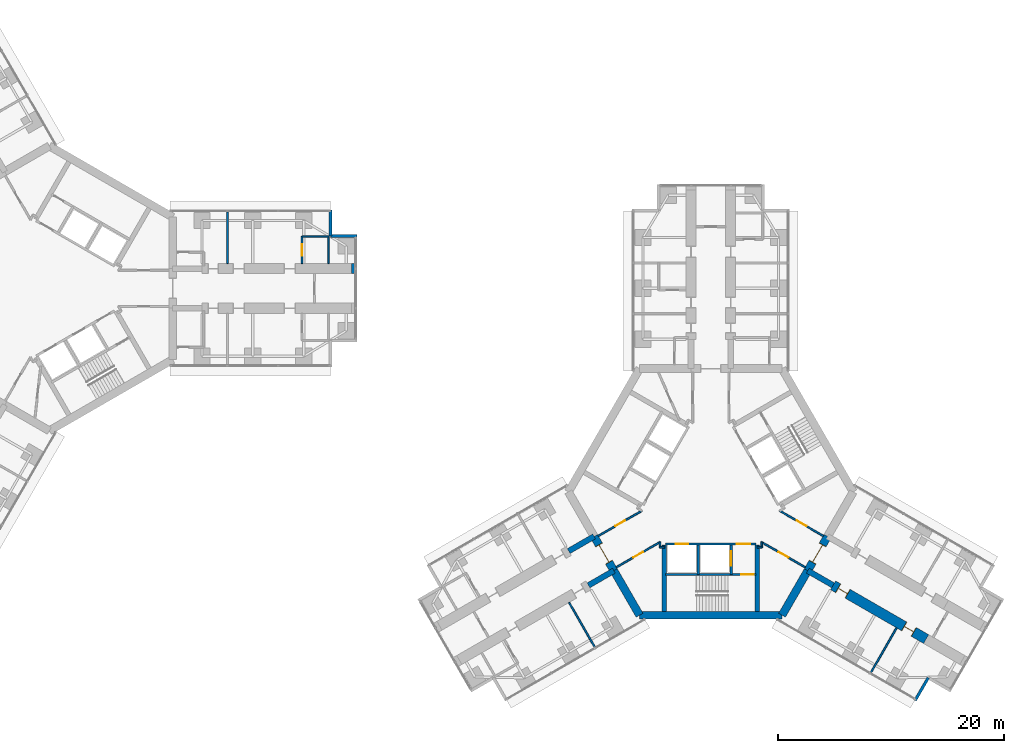
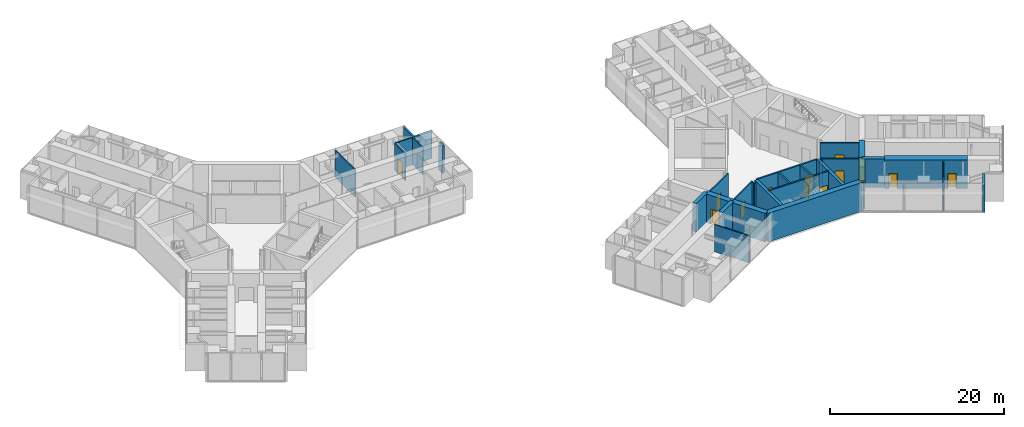
# One storey, part 20 of 24: 33 walls, 13 doors, 13 openings.
"""IFC4 building model written with IfcOpenShell, lengths in metres."""

import ifcopenshell
import ifcopenshell.guid

model = None  # the IFC model being written
_history = None  # IfcOwnerHistory: only IFC2X3 demands one
_inside = {}  # id of a spatial element -> (the spatial element, [elements in it])
_under = {}  # id of a project, library or spatial element -> (it, [spatial elements below it])
_declared = {}  # id of a project -> (the project, [libraries it declares])
_typed = {}  # id of a type object -> (the type object, [elements of that type])
_made_of = {}  # id of a material, layer set ... -> (it, [elements and type objects made of it])


def new_model(schema):
    """Start an empty IFC model of exactly this schema.

    Asked for "IFC4X3", IfcOpenShell would pick the latest addendum, in which some entities
    have other attributes; the version numbers below select the first issue.
    IFC2X3 requires an IfcOwnerHistory on every rooted entity: one is made here for all.
    """
    global model, _history
    if schema == "IFC4X3":
        model = ifcopenshell.file(schema_version=(4, 3, 0, 0))
    else:
        model = ifcopenshell.file(schema=schema)
    _inside.clear()
    _under.clear()
    _declared.clear()
    _typed.clear()
    _made_of.clear()
    _history = None
    if model.schema == "IFC2X3":
        org = make("IfcOrganization", Name="unknown")
        user = make(
            "IfcPersonAndOrganization",
            ThePerson=make("IfcPerson", FamilyName="unknown"),
            TheOrganization=org,
        )
        app = make(
            "IfcApplication",
            ApplicationDeveloper=org,
            Version="unknown",
            ApplicationFullName="unknown",
            ApplicationIdentifier="unknown",
        )
        _history = make(
            "IfcOwnerHistory",
            OwningUser=user,
            OwningApplication=app,
            ChangeAction="ADDED",
            CreationDate=0,
        )
    return model


def make(cls, **values):
    """One entity of the class cls with the attributes given. An attribute that is None is left unset."""
    return model.create_entity(
        cls, **{name: value for name, value in values.items() if value is not None}
    )


def rooted(cls, **values):
    """An entity with a GlobalId (a new one), such as an element, a storey or a relation."""
    return make(cls, GlobalId=ifcopenshell.guid.new(), OwnerHistory=_history, **values)


def si_unit(unit_type, name, prefix=None):
    """IfcSIUnit, for example si_unit("LENGTHUNIT", "METRE", prefix="MILLI")."""
    return make("IfcSIUnit", UnitType=unit_type, Prefix=prefix, Name=name)


def assignment(units):
    """IfcUnitAssignment: the units of a project."""
    return None if units is None else make("IfcUnitAssignment", Units=units)


def point(xyz):
    """IfcCartesianPoint."""
    return None if xyz is None else make("IfcCartesianPoint", Coordinates=xyz)


def direction(xyz):
    """IfcDirection."""
    return None if xyz is None else make("IfcDirection", DirectionRatios=xyz)


def frame(location, z_axis=None, x_axis=None):
    """IfcAxis2Placement3D, a coordinate frame: its origin and axes. An axis left out is left unset."""
    return make(
        "IfcAxis2Placement3D",
        Location=point(location),
        Axis=direction(z_axis),
        RefDirection=direction(x_axis),
    )


def frame_2d(location, x_axis=None):
    """IfcAxis2Placement2D, a coordinate frame in the plane: its origin and x axis."""
    return make(
        "IfcAxis2Placement2D", Location=point(location), RefDirection=direction(x_axis)
    )


def origin():
    """The frame at (0, 0, 0) with its axes left unset."""
    return frame((0.0, 0.0, 0.0))


def place(relative_to, where):
    """IfcLocalPlacement: puts the frame where relative to a parent placement (None: the world)."""
    return make(
        "IfcLocalPlacement", PlacementRelTo=relative_to, RelativePlacement=where
    )


def context(
    kind, dimensions, precision=None, world=None, true_north=None, identifier=None
):
    """IfcGeometricRepresentationContext, for example the 3D "Model" context."""
    return make(
        "IfcGeometricRepresentationContext",
        ContextIdentifier=identifier,
        ContextType=kind,
        CoordinateSpaceDimension=dimensions,
        Precision=precision,
        WorldCoordinateSystem=world,
        TrueNorth=true_north,
    )


def subcontext(parent, identifier, kind, view, scale=None):
    """IfcGeometricRepresentationSubContext, for example "Body" below "Model"."""
    return make(
        "IfcGeometricRepresentationSubContext",
        ContextIdentifier=identifier,
        ContextType=kind,
        ParentContext=parent,
        TargetScale=scale,
        TargetView=view,
    )


def project(units=None, contexts=None):
    """IfcProject with its units and contexts."""
    return rooted(
        "IfcProject",
        Name="project",
        RepresentationContexts=contexts,
        UnitsInContext=assignment(units),
    )


def spatial(cls, under=None, at=None, **own):
    """A site, building, storey or space (cls), placed at a placement, below another one or the project."""
    s = rooted(cls, ObjectPlacement=at, **own)
    if under is not None:
        _under.setdefault(under.id(), (under, []))[1].append(s)
    return s


def profile(cls, at=None, kind="AREA", **sizes):
    """A parametric profile (cls). Its sizes go by their IFC names, for example OverallWidth=200.0."""
    return make(cls, ProfileType=kind, Position=at, **sizes)


def rectangle(**sizes):
    """IfcRectangleProfileDef."""
    return profile("IfcRectangleProfileDef", **sizes)


def extrude(swept, where, along, depth):
    """IfcExtrudedAreaSolid: the profile swept, set in the frame where, extruded along a direction by depth."""
    return make(
        "IfcExtrudedAreaSolid",
        SweptArea=swept,
        Position=where,
        ExtrudedDirection=direction(along),
        Depth=depth,
    )


def shape(context_of_items, identifier, shape_type, items):
    """IfcShapeRepresentation: the items that make up one representation, for example the "Body"."""
    return make(
        "IfcShapeRepresentation",
        ContextOfItems=context_of_items,
        RepresentationIdentifier=identifier,
        RepresentationType=shape_type,
        Items=items,
    )


def material(Name=None, Category=None):
    """IfcMaterial."""
    return make("IfcMaterial", Name=Name, Category=Category)


def layer(
    of_material, thickness, ventilated=None, Name=None, Category=None, Priority=None
):
    """IfcMaterialLayer: one layer of a wall or slab, of a material (None: an air gap)."""
    return make(
        "IfcMaterialLayer",
        Material=of_material,
        LayerThickness=thickness,
        IsVentilated=ventilated,
        Name=Name,
        Category=Category,
        Priority=Priority,
    )


def layer_set(layers, Name=None):
    """IfcMaterialLayerSet."""
    return make("IfcMaterialLayerSet", MaterialLayers=layers, LayerSetName=Name)


def made_of(thing, what):
    """Note that an element or type object is made of a material, layer set ...; save() writes the relation."""
    if what is not None:
        _made_of.setdefault(what.id(), (what, []))[1].append(thing)
    return thing


def type_object(cls, material=None, **own):
    """A type object (cls), such as IfcWallType, which elements share."""
    return made_of(rooted(cls, **own), material)


def element(
    cls,
    number,
    at=None,
    inside=None,
    cuts=None,
    type_object=None,
    material=None,
    context=None,
    identifier="Body",
    shape_type=None,
    held_by="IfcProductDefinitionShape",
    body=None,
    shapes=None,
    **own,
):
    """One element of the class cls, such as IfcWall. Its Tag is "e" and its number.

    at: its placement. inside: the storey or other place that contains it. cuts: it is an
    opening in that element (IfcRelVoidsElement). A single representation is given by context,
    identifier, shape_type and body (its items); several are given by shapes. held_by: the class
    of the entity that holds the representations. save() writes the other relations.
    """
    e = rooted(cls, Tag="e%d" % number, ObjectPlacement=at, **own)
    if body is not None:
        shapes = [shape(context, identifier, shape_type, body)]
    if shapes is not None:
        e.Representation = make(held_by, Representations=shapes)
    if inside is not None:
        _inside.setdefault(inside.id(), (inside, []))[1].append(e)
    if cuts is not None:
        rooted(
            "IfcRelVoidsElement", RelatingBuildingElement=cuts, RelatedOpeningElement=e
        )
    if type_object is not None:
        _typed.setdefault(type_object.id(), (type_object, []))[1].append(e)
    return made_of(e, material)


def fill(opening, filler):
    """IfcRelFillsElement: the door or window that sits in an opening."""
    return rooted(
        "IfcRelFillsElement",
        RelatingOpeningElement=opening,
        RelatedBuildingElement=filler,
    )


def aggregate(whole, parts):
    """IfcRelAggregates: a whole, such as a stair, and the parts it consists of."""
    return rooted("IfcRelAggregates", RelatingObject=whole, RelatedObjects=parts)


def save(model, path):
    """Write the relations noted so far, then the file.

    IfcRelAggregates (storeys below a building ...), IfcRelContainedInSpatialStructure (elements
    in a storey), IfcRelDefinesByType, IfcRelAssociatesMaterial and IfcRelDeclares: one each for
    every whole, place, type object, material and project.
    """
    for whole, parts in _under.values():
        aggregate(whole, parts)
    for where, things in _inside.values():
        rooted(
            "IfcRelContainedInSpatialStructure",
            RelatedElements=things,
            RelatingStructure=where,
        )
    for kind, things in _typed.values():
        rooted("IfcRelDefinesByType", RelatedObjects=things, RelatingType=kind)
    for what, things in _made_of.values():
        rooted("IfcRelAssociatesMaterial", RelatedObjects=things, RelatingMaterial=what)
    for by, libraries in _declared.values():
        rooted("IfcRelDeclares", RelatingContext=by, RelatedDefinitions=libraries)
    model.write(path)


model = new_model("IFC4")

# Units and contexts
model_context = context("Model", 3, precision=1e-05, world=origin(), true_north=direction((0.0, 1.0)))
body_context = subcontext(model_context, "Body", "Model", "MODEL_VIEW")
ifc_project = project(units=[si_unit("LENGTHUNIT", "METRE"), si_unit("AREAUNIT", "SQUARE_METRE"), si_unit("VOLUMEUNIT", "CUBIC_METRE"), si_unit("PLANEANGLEUNIT", "RADIAN"), si_unit("MASSUNIT", "GRAM", prefix="KILO")], contexts=[model_context])

# Site, building, storey
site_placement = place(None, origin())
site = spatial("IfcSite", under=ifc_project, at=site_placement, CompositionType="ELEMENT")
building_placement = place(site_placement, origin())
building = spatial("IfcBuilding", under=site, at=building_placement, Name="Upepo Twin Towers", CompositionType="ELEMENT")
storey_placement = place(building_placement, frame((0.0, 0.0, 48.5)))
storey = spatial("IfcBuildingStorey", under=building, at=storey_placement, Name="L11", CompositionType="ELEMENT", Elevation=48.5)

# Walls
ifc_material_1 = material(Name="Dense concrete blockwork", Category="masonry")
ifc_layer_1 = layer(ifc_material_1, 0.89990234375)
ifc_layer_set_1 = layer_set([ifc_layer_1], Name="Buttress closer 900, blockwork with fire-stopping to the curtain wall")
wall_type_1 = type_object("IfcWallType", Name="Buttress closer 900, blockwork with fire-stopping to the curtain wall", PredefinedType="PARTITIONING", material=ifc_layer_set_1)
wall_1_placement = place(storey_placement, frame((26.699951171875, 1.75, 0.0), z_axis=(0.0, 0.0, 1.0), x_axis=(1.0, 0.0, 0.0)))
element("IfcWall", 1, at=wall_1_placement, inside=storey, type_object=wall_type_1, Name="T1 L11 wing A buttress closer L", PredefinedType="PARTITIONING", context=body_context, shape_type="SweptSolid", body=[
    extrude(rectangle(XDim=0.31005859375, YDim=0.89990234375, at=frame_2d((0.155029296875, 0.0))), origin(), (0.0, 0.0, 1.0), 3.800048828125),
])
ifc_material_2 = material(Name="Concrete C60/75", Category="concrete")
ifc_layer_2 = layer(ifc_material_2, 0.5)
ifc_layer_set_2 = layer_set([ifc_layer_2], Name="Concrete C60/75")
wall_type_2 = type_object("IfcWallType", Name="Buttress wall 500 RC", PredefinedType="SHEAR", material=ifc_layer_set_2)
for number, where, z_axis, x_axis, name in (
    (2, (49.92822265625, -24.9697265625, 0.0), (0.0, 0.0, 1.0), (-0.866031863473, -0.499988811324, 0.0), "T2 wing B buttress wall L"),
    (3, (48.17822265625, -21.938720703125, 0.0), (0.0, 0.0, 1.0), (-0.866072649678, -0.499918158782, 0.0), "T2 wing B buttress wall R"),
    (4, (67.07177734375, -24.9697265625, 0.0), (0.0, 0.0, 1.0), (0.866031863473, -0.499988811324, 0.0), "T2 wing C buttress wall R"),
):
    element("IfcWall", number, at=place(storey_placement, frame(where, z_axis=z_axis, x_axis=x_axis)), inside=storey, type_object=wall_type_2, Name=name, PredefinedType="SHEAR", context=body_context, shape_type="SweptSolid", body=[
        extrude(rectangle(XDim=2.591796875, YDim=0.5, at=frame_2d((1.2958984375, 0.0))), origin(), (0.0, 0.0, 1.0), 4.0),
    ])

# Wall, openings, doors
ifc_material_3 = material(Name="Concrete C60/75", Category="concrete")
ifc_layer_3 = layer(ifc_material_3, 0.89990234375)
ifc_layer_set_3 = layer_set([ifc_layer_3], Name="Concrete C60/75")
wall_type_3 = type_object("IfcWallType", Name="Buttress wall 900 RC", PredefinedType="SHEAR", material=ifc_layer_set_3)
wall_2_placement = place(storey_placement, frame((69.31640625, -26.265625, 0.0), z_axis=(0.0, 0.0, 1.0), x_axis=(0.86602681393, -0.499997557548, 0.0)))
wall_2 = element("IfcWall", 5, at=wall_2_placement, inside=storey, type_object=wall_type_3, Name="T2 wing C buttress wall R part 2", PredefinedType="SHEAR", context=body_context, shape_type="SweptSolid", body=[
    extrude(rectangle(XDim=9.5, YDim=0.89990234375, at=frame_2d((4.75, 0.0))), origin(), (0.0, 0.0, 1.0), 4.0),
])
opening_1_placement = place(wall_2_placement, frame((0.5, 0.0, 0.0)))
opening_1 = element("IfcOpeningElement", 6, at=opening_1_placement, cuts=wall_2, Name="Opening D1", PredefinedType="OPENING", context=body_context, shape_type="SweptSolid", body=[
    extrude(rectangle(XDim=1.0, YDim=2.10009765625, at=frame_2d((0.5, 1.050048828125))), frame((0.0, 0.4599609375, 0.0), z_axis=(0.0, -1.0, 0.0), x_axis=(1.0, 0.0, 0.0)), (0.0, 0.0, 1.0), 0.919921875),
])
opening_2_placement = place(wall_2_placement, frame((7.25, 0.0, 0.0)))
opening_2 = element("IfcOpeningElement", 7, at=opening_2_placement, cuts=wall_2, Name="Opening D1", PredefinedType="OPENING", context=body_context, shape_type="SweptSolid", body=[
    extrude(rectangle(XDim=1.0, YDim=2.10009765625, at=frame_2d((0.5, 1.050048828125))), frame((0.0, 0.4599609375, 0.0), z_axis=(0.0, -1.0, 0.0), x_axis=(1.0, 0.0, 0.0)), (0.0, 0.0, 1.0), 0.919921875),
])
ifc_material_4 = material(Name="Timber doorset", Category="wood")
door_type_1 = type_object("IfcDoorType", Name="Room door 1000 FD30", OperationType="SINGLE_SWING_LEFT", PredefinedType="DOOR", material=ifc_material_4)
door_1_placement = place(opening_1_placement, origin())
door_1 = element("IfcDoor", 8, at=door_1_placement, inside=storey, type_object=door_type_1, Name="T2 L11 classroom door", OperationType="SINGLE_SWING_LEFT", OverallHeight=2.10009765625, OverallWidth=1.0, PredefinedType="DOOR", context=body_context, shape_type="SweptSolid", body=[
    extrude(rectangle(XDim=0.92, YDim=2.06009765625, at=frame_2d((0.5, 1.030029296875))), frame((0.0, 0.02490234375, 0.0), z_axis=(0.0, -1.0, 0.0), x_axis=(1.0, 0.0, 0.0)), (0.0, 0.0, 1.0), 0.050048828125),
    extrude(rectangle(XDim=0.04, YDim=2.10009765625, at=frame_2d((0.02001953125, 1.050048828125))), frame((0.0, 0.44970703125, 0.0), z_axis=(0.0, -1.0, 0.0), x_axis=(1.0, 0.0, 0.0)), (0.0, 0.0, 1.0), 0.8994140625),
    extrude(rectangle(XDim=0.04, YDim=2.10009765625, at=frame_2d((0.97998046875, 1.050048828125))), frame((0.0, 0.44970703125, 0.0), z_axis=(0.0, -1.0, 0.0), x_axis=(1.0, 0.0, 0.0)), (0.0, 0.0, 1.0), 0.8994140625),
    extrude(rectangle(XDim=0.92, YDim=0.04, at=frame_2d((0.5, 2.080078125))), frame((0.0, 0.44970703125, 0.0), z_axis=(0.0, -1.0, 0.0), x_axis=(1.0, 0.0, 0.0)), (0.0, 0.0, 1.0), 0.8994140625),
])
fill(opening_1, door_1)
door_2_placement = place(opening_2_placement, origin())
door_2 = element("IfcDoor", 9, at=door_2_placement, inside=storey, type_object=door_type_1, Name="T2 L11 tutorial room door", OperationType="SINGLE_SWING_RIGHT", OverallHeight=2.10009765625, OverallWidth=1.0, PredefinedType="DOOR", context=body_context, shape_type="SweptSolid", body=[
    extrude(rectangle(XDim=0.92, YDim=2.06009765625, at=frame_2d((0.5, 1.030029296875))), frame((0.0, 0.02490234375, 0.0), z_axis=(0.0, -1.0, 0.0), x_axis=(1.0, 0.0, 0.0)), (0.0, 0.0, 1.0), 0.050048828125),
    extrude(rectangle(XDim=0.04, YDim=2.10009765625, at=frame_2d((0.02001953125, 1.050048828125))), frame((0.0, 0.44970703125, 0.0), z_axis=(0.0, -1.0, 0.0), x_axis=(1.0, 0.0, 0.0)), (0.0, 0.0, 1.0), 0.8994140625),
    extrude(rectangle(XDim=0.04, YDim=2.10009765625, at=frame_2d((0.97998046875, 1.050048828125))), frame((0.0, 0.44970703125, 0.0), z_axis=(0.0, -1.0, 0.0), x_axis=(1.0, 0.0, 0.0)), (0.0, 0.0, 1.0), 0.8994140625),
    extrude(rectangle(XDim=0.92, YDim=0.04, at=frame_2d((0.5, 2.080078125))), frame((0.0, 0.44970703125, 0.0), z_axis=(0.0, -1.0, 0.0), x_axis=(1.0, 0.0, 0.0)), (0.0, 0.0, 1.0), 0.8994140625),
])
fill(opening_2, door_2)

# Wall, opening, door
ifc_material_5 = material(Name="Concrete C60/75", Category="concrete")
ifc_layer_4 = layer(ifc_material_5, 0.699951171875)
ifc_layer_set_4 = layer_set([ifc_layer_4], Name="Concrete C60/75")
wall_type_4 = type_object("IfcWallType", Name="Core wall 700 RC", PredefinedType="SHEAR", material=ifc_layer_set_4)
wall_3_placement = place(storey_placement, frame((48.17822265625, -21.938720703125, 0.0), z_axis=(0.0, 0.0, 1.0), x_axis=(0.500010275428, -0.866019471182, 0.0)))
wall_3 = element("IfcWall", 10, at=wall_3_placement, inside=storey, type_object=wall_type_4, Name="T2 core wall 120", PredefinedType="SHEAR", context=body_context, shape_type="SweptSolid", body=[
    extrude(rectangle(XDim=3.5, YDim=0.699951171875, at=frame_2d((1.75, 0.0))), origin(), (0.0, 0.0, 1.0), 4.0),
])
opening_3_placement = place(wall_3_placement, frame((0.85009765625, 0.0, 0.0)))
opening_3 = element("IfcOpeningElement", 11, at=opening_3_placement, cuts=wall_3, Name="Opening D2", PredefinedType="OPENING", context=body_context, shape_type="SweptSolid", body=[
    extrude(rectangle(XDim=1.800048828125, YDim=2.10009765625, at=frame_2d((0.89990234375, 1.050048828125))), frame((0.0, 0.35986328125, 0.0), z_axis=(0.0, -1.0, 0.0), x_axis=(1.0, 0.0, 0.0)), (0.0, 0.0, 1.0), 0.719970703125),
])
ifc_material_6 = material(Name="Timber doorset", Category="wood")
door_type_2 = type_object("IfcDoorType", Name="Corridor double door 1800 FD60", OperationType="DOUBLE_DOOR_DOUBLE_SWING", PredefinedType="DOOR", material=ifc_material_6)
door_3_placement = place(opening_3_placement, origin())
door_3 = element("IfcDoor", 12, at=door_3_placement, inside=storey, type_object=door_type_2, Name="T2 L11 wing B corridor door", OperationType="DOUBLE_DOOR_DOUBLE_SWING", OverallHeight=2.10009765625, OverallWidth=1.800048828125, PredefinedType="DOOR", context=body_context, shape_type="SweptSolid", body=[
    extrude(rectangle(XDim=1.720048828125, YDim=2.06009765625, at=frame_2d((0.89990234375, 1.030029296875))), frame((0.0, 0.02490234375, 0.0), z_axis=(0.0, -1.0, 0.0), x_axis=(1.0, 0.0, 0.0)), (0.0, 0.0, 1.0), 0.050048828125),
    extrude(rectangle(XDim=0.04, YDim=2.10009765625, at=frame_2d((0.02001953125, 1.050048828125))), frame((0.0, 0.349609375, 0.0), z_axis=(0.0, -1.0, 0.0), x_axis=(1.0, 0.0, 0.0)), (0.0, 0.0, 1.0), 0.699462890625),
    extrude(rectangle(XDim=0.04, YDim=2.10009765625, at=frame_2d((1.780029296875, 1.050048828125))), frame((0.0, 0.349609375, 0.0), z_axis=(0.0, -1.0, 0.0), x_axis=(1.0, 0.0, 0.0)), (0.0, 0.0, 1.0), 0.699462890625),
    extrude(rectangle(XDim=1.720048828125, YDim=0.04, at=frame_2d((0.89990234375, 2.080078125))), frame((0.0, 0.349609375, 0.0), z_axis=(0.0, -1.0, 0.0), x_axis=(1.0, 0.0, 0.0)), (0.0, 0.0, 1.0), 0.699462890625),
])
fill(opening_3, door_3)

# Walls
wall_4_placement = place(storey_placement, frame((49.92822265625, -24.9697265625, 0.0), z_axis=(0.0, 0.0, 1.0), x_axis=(0.499984222037, -0.866034513004, 0.0)))
element("IfcWall", 13, at=wall_4_placement, inside=storey, type_object=wall_type_4, Name="T2 core wall 120 L", PredefinedType="SHEAR", context=body_context, shape_type="SweptSolid", body=[
    extrude(rectangle(XDim=4.548095703125, YDim=0.699951171875, at=frame_2d((2.27392578125, 0.0))), origin(), (0.0, 0.0, 1.0), 4.0),
])
wall_5_placement = place(storey_placement, frame((52.2021484375, -28.908447265625, 0.0), z_axis=(0.0, 0.0, 1.0), x_axis=(1.0, 0.0, 0.0)))
element("IfcWall", 14, at=wall_5_placement, inside=storey, type_object=wall_type_4, Name="T2 core wall 180", PredefinedType="SHEAR", context=body_context, shape_type="SweptSolid", body=[
    extrude(rectangle(XDim=12.595703125, YDim=0.699951171875, at=frame_2d((6.2978515625, 0.0))), origin(), (0.0, 0.0, 1.0), 4.0),
])
wall_6_placement = place(storey_placement, frame((64.7978515625, -28.908447265625, 0.0), z_axis=(0.0, 0.0, 1.0), x_axis=(0.499984222037, 0.866034513004, 0.0)))
element("IfcWall", 15, at=wall_6_placement, inside=storey, type_object=wall_type_4, Name="T2 core wall 240 R", PredefinedType="SHEAR", context=body_context, shape_type="SweptSolid", body=[
    extrude(rectangle(XDim=4.548095703125, YDim=0.699951171875, at=frame_2d((2.27392578125, 0.0))), origin(), (0.0, 0.0, 1.0), 4.0),
])

# Wall, opening, door
wall_7_placement = place(storey_placement, frame((67.07177734375, -24.9697265625, 0.0), z_axis=(0.0, 0.0, 1.0), x_axis=(0.500010275428, 0.866019471182, 0.0)))
wall_7 = element("IfcWall", 16, at=wall_7_placement, inside=storey, type_object=wall_type_4, Name="T2 core wall 240", PredefinedType="SHEAR", context=body_context, shape_type="SweptSolid", body=[
    extrude(rectangle(XDim=3.5, YDim=0.699951171875, at=frame_2d((1.75, 0.0))), origin(), (0.0, 0.0, 1.0), 4.0),
])
opening_4_placement = place(wall_7_placement, frame((0.85009765625, 0.0, 0.0)))
opening_4 = element("IfcOpeningElement", 17, at=opening_4_placement, cuts=wall_7, Name="Opening D2", PredefinedType="OPENING", context=body_context, shape_type="SweptSolid", body=[
    extrude(rectangle(XDim=1.800048828125, YDim=2.10009765625, at=frame_2d((0.89990234375, 1.050048828125))), frame((0.0, 0.35986328125, 0.0), z_axis=(0.0, -1.0, 0.0), x_axis=(1.0, 0.0, 0.0)), (0.0, 0.0, 1.0), 0.719970703125),
])
door_4_placement = place(opening_4_placement, origin())
door_4 = element("IfcDoor", 18, at=door_4_placement, inside=storey, type_object=door_type_2, Name="T2 L11 wing C corridor door", OperationType="DOUBLE_DOOR_DOUBLE_SWING", OverallHeight=2.10009765625, OverallWidth=1.800048828125, PredefinedType="DOOR", context=body_context, shape_type="SweptSolid", body=[
    extrude(rectangle(XDim=1.720048828125, YDim=2.06009765625, at=frame_2d((0.89990234375, 1.030029296875))), frame((0.0, 0.02490234375, 0.0), z_axis=(0.0, -1.0, 0.0), x_axis=(1.0, 0.0, 0.0)), (0.0, 0.0, 1.0), 0.050048828125),
    extrude(rectangle(XDim=0.04, YDim=2.10009765625, at=frame_2d((0.02001953125, 1.050048828125))), frame((0.0, 0.349609375, 0.0), z_axis=(0.0, -1.0, 0.0), x_axis=(1.0, 0.0, 0.0)), (0.0, 0.0, 1.0), 0.699462890625),
    extrude(rectangle(XDim=0.04, YDim=2.10009765625, at=frame_2d((1.780029296875, 1.050048828125))), frame((0.0, 0.349609375, 0.0), z_axis=(0.0, -1.0, 0.0), x_axis=(1.0, 0.0, 0.0)), (0.0, 0.0, 1.0), 0.699462890625),
    extrude(rectangle(XDim=1.720048828125, YDim=0.04, at=frame_2d((0.89990234375, 2.080078125))), frame((0.0, 0.349609375, 0.0), z_axis=(0.0, -1.0, 0.0), x_axis=(1.0, 0.0, 0.0)), (0.0, 0.0, 1.0), 0.699462890625),
])
fill(opening_4, door_4)

# Walls
ifc_material_7 = material(Name="Blockwork with anodised aluminium cladding", Category="masonry")
ifc_layer_5 = layer(ifc_material_7, 0.25)
ifc_layer_set_5 = layer_set([ifc_layer_5], Name="Notch cladding wall 250, pale metal")
wall_type_5 = type_object("IfcWallType", Name="Notch cladding wall 250, pale metal", PredefinedType="STANDARD", material=ifc_layer_set_5)
for number, where, z_axis, x_axis, name in (
    (19, (24.875, 6.949951171875, 0.0), (0.0, 0.0, 1.0), (0.0, -1.0, 0.0), "T1 L11 wing A notch wall L1"),
    (20, (24.875, 4.625, 0.0), (0.0, 0.0, 1.0), (1.0, 0.0, 0.0), "T1 L11 wing A notch wall L2"),
    (21, (76.5673828125, -36.456298828125, 0.0), (0.0, 0.0, 1.0), (0.500046648681, 0.865998469481, 0.0), "T2 L11 wing C notch wall R1"),
):
    element("IfcWall", number, at=place(storey_placement, frame(where, z_axis=z_axis, x_axis=x_axis)), inside=storey, type_object=wall_type_5, Name=name, PredefinedType="STANDARD", context=body_context, shape_type="SweptSolid", body=[
        extrude(rectangle(XDim=2.324951171875, YDim=0.25, at=frame_2d((1.16259765625, 0.0))), origin(), (0.0, 0.0, 1.0), 3.800048828125),
    ])

# Wall, openings, doors
ifc_material_8 = material(Name="Concrete C40/50", Category="concrete")
ifc_layer_6 = layer(ifc_material_8, 0.199951171875)
ifc_layer_set_6 = layer_set([ifc_layer_6], Name="Concrete C40/50")
wall_type_6 = type_object("IfcWallType", Name="Shaft wall 200 RC", PredefinedType="SHEAR", material=ifc_layer_set_6)
wall_8_placement = place(storey_placement, frame((54.5, -22.60009765625, 0.0), z_axis=(0.0, 0.0, 1.0), x_axis=(1.0, 0.0, 0.0)))
wall_8 = element("IfcWall", 22, at=wall_8_placement, inside=storey, type_object=wall_type_6, Name="T2 core W180 front wall", PredefinedType="SHEAR", context=body_context, shape_type="SweptSolid", body=[
    extrude(rectangle(XDim=8.0, YDim=0.199951171875, at=frame_2d((4.0, 0.0))), origin(), (0.0, 0.0, 1.0), 4.0),
])
opening_5_placement = place(wall_8_placement, frame((6.300048828125, 0.0, 0.0)))
opening_5 = element("IfcOpeningElement", 23, at=opening_5_placement, cuts=wall_8, Name="Opening D4", PredefinedType="OPENING", context=body_context, shape_type="SweptSolid", body=[
    extrude(rectangle(XDim=1.199951171875, YDim=2.10009765625, at=frame_2d((0.60009765625, 1.050048828125))), frame((0.0, 0.10986328125, 0.0), z_axis=(0.0, -1.0, 0.0), x_axis=(1.0, 0.0, 0.0)), (0.0, 0.0, 1.0), 0.219970703125),
])
opening_6_placement = place(wall_8_placement, frame((0.89990234375, 0.0, 0.0)))
opening_6 = element("IfcOpeningElement", 24, at=opening_6_placement, cuts=wall_8, Name="Opening LD1", PredefinedType="OPENING", context=body_context, shape_type="SweptSolid", body=[
    extrude(rectangle(XDim=1.10009765625, YDim=2.199951171875, at=frame_2d((0.550048828125, 1.10009765625))), frame((0.0, 0.10986328125, 0.0), z_axis=(0.0, -1.0, 0.0), x_axis=(1.0, 0.0, 0.0)), (0.0, 0.0, 1.0), 0.219970703125),
])
ifc_material_9 = material(Name="Steel doorset", Category="steel")
door_type_3 = type_object("IfcDoorType", Name="Lift landing door 1100", OperationType="DOUBLE_DOOR_SLIDING", PredefinedType="DOOR", material=ifc_material_9)
door_5_placement = place(opening_6_placement, origin())
door_5 = element("IfcDoor", 25, at=door_5_placement, inside=storey, type_object=door_type_3, Name="T2 L11 lift SV1 landing door", OperationType="DOUBLE_DOOR_SLIDING", OverallHeight=2.199951171875, OverallWidth=1.10009765625, PredefinedType="DOOR", context=body_context, shape_type="SweptSolid", body=[
    extrude(rectangle(XDim=1.10009765625, YDim=2.199951171875, at=frame_2d((0.550048828125, 1.10009765625))), frame((0.0, 0.02490234375, 0.0), z_axis=(0.0, -1.0, 0.0), x_axis=(1.0, 0.0, 0.0)), (0.0, 0.0, 1.0), 0.050048828125),
])
fill(opening_6, door_5)
ifc_material_10 = material(Name="Timber doorset", Category="wood")
door_type_4 = type_object("IfcDoorType", Name="Lobby door 1200 FD60", OperationType="SINGLE_SWING_LEFT", PredefinedType="DOOR", material=ifc_material_10)
door_6_placement = place(opening_5_placement, origin())
door_6 = element("IfcDoor", 26, at=door_6_placement, inside=storey, type_object=door_type_4, Name="T2 L11 W180 lobby door", OperationType="SINGLE_SWING_RIGHT", OverallHeight=2.10009765625, OverallWidth=1.199951171875, PredefinedType="DOOR", context=body_context, shape_type="SweptSolid", body=[
    extrude(rectangle(XDim=1.199951171875, YDim=2.10009765625, at=frame_2d((0.60009765625, 1.050048828125))), frame((0.0, 0.02490234375, 0.0), z_axis=(0.0, -1.0, 0.0), x_axis=(1.0, 0.0, 0.0)), (0.0, 0.0, 1.0), 0.050048828125),
])
fill(opening_5, door_6)

# Wall
wall_9_placement = place(storey_placement, frame((57.39990234375, -22.699951171875, 0.0), z_axis=(0.0, 0.0, 1.0), x_axis=(0.0, -1.0, 0.0)))
element("IfcWall", 27, at=wall_9_placement, inside=storey, type_object=wall_type_6, Name="T2 core W180 shaft divider", PredefinedType="SHEAR", context=body_context, shape_type="SweptSolid", body=[
    extrude(rectangle(XDim=2.60009765625, YDim=0.199951171875, at=frame_2d((1.300048828125, 0.0))), origin(), (0.0, 0.0, 1.0), 4.0),
])

# Wall, opening, door
wall_10_placement = place(storey_placement, frame((60.300048828125, -22.699951171875, 0.0), z_axis=(0.0, 0.0, 1.0), x_axis=(0.0, -1.0, 0.0)))
wall_10 = element("IfcWall", 28, at=wall_10_placement, inside=storey, type_object=wall_type_6, Name="T2 core W180 lobby wall", PredefinedType="SHEAR", context=body_context, shape_type="SweptSolid", body=[
    extrude(rectangle(XDim=2.60009765625, YDim=0.199951171875, at=frame_2d((1.300048828125, 0.0))), origin(), (0.0, 0.0, 1.0), 4.0),
])
opening_7_placement = place(wall_10_placement, frame((0.550048828125, 0.0, 0.0)))
opening_7 = element("IfcOpeningElement", 29, at=opening_7_placement, cuts=wall_10, Name="Opening LD2", PredefinedType="OPENING", context=body_context, shape_type="SweptSolid", body=[
    extrude(rectangle(XDim=1.300048828125, YDim=2.199951171875, at=frame_2d((0.64990234375, 1.10009765625))), frame((0.0, 0.10986328125, 0.0), z_axis=(0.0, -1.0, 0.0), x_axis=(1.0, 0.0, 0.0)), (0.0, 0.0, 1.0), 0.219970703125),
])
ifc_material_11 = material(Name="Steel doorset", Category="steel")
door_type_5 = type_object("IfcDoorType", Name="Firefighting lift landing door 1300", OperationType="DOUBLE_DOOR_SLIDING", PredefinedType="DOOR", material=ifc_material_11)
door_7_placement = place(opening_7_placement, origin())
door_7 = element("IfcDoor", 30, at=door_7_placement, inside=storey, type_object=door_type_5, Name="T2 L11 firefighting lift landing door", OperationType="DOUBLE_DOOR_SLIDING", OverallHeight=2.199951171875, OverallWidth=1.300048828125, PredefinedType="DOOR", context=body_context, shape_type="SweptSolid", body=[
    extrude(rectangle(XDim=1.300048828125, YDim=2.199951171875, at=frame_2d((0.64990234375, 1.10009765625))), frame((0.0, 0.02490234375, 0.0), z_axis=(0.0, -1.0, 0.0), x_axis=(1.0, 0.0, 0.0)), (0.0, 0.0, 1.0), 0.050048828125),
])
fill(opening_7, door_7)

wall_11_placement = place(storey_placement, frame((54.5, -25.300048828125, 0.0), z_axis=(0.0, 0.0, 1.0), x_axis=(1.0, 0.0, 0.0)))
wall_11 = element("IfcWall", 31, at=wall_11_placement, inside=storey, type_object=wall_type_6, Name="T2 core W180 stair wall", PredefinedType="SHEAR", context=body_context, shape_type="SweptSolid", body=[
    extrude(rectangle(XDim=8.0, YDim=0.199951171875, at=frame_2d((4.0, 0.0))), origin(), (0.0, 0.0, 1.0), 4.0),
])
opening_8_placement = place(wall_11_placement, frame((6.699951171875, 0.0, 0.0)))
opening_8 = element("IfcOpeningElement", 32, at=opening_8_placement, cuts=wall_11, Name="Opening D3", PredefinedType="OPENING", context=body_context, shape_type="SweptSolid", body=[
    extrude(rectangle(XDim=1.10009765625, YDim=2.10009765625, at=frame_2d((0.550048828125, 1.050048828125))), frame((0.0, 0.10986328125, 0.0), z_axis=(0.0, -1.0, 0.0), x_axis=(1.0, 0.0, 0.0)), (0.0, 0.0, 1.0), 0.219970703125),
])
ifc_material_12 = material(Name="Timber doorset", Category="wood")
door_type_6 = type_object("IfcDoorType", Name="Stair door 1100 FD60", OperationType="SINGLE_SWING_LEFT", PredefinedType="DOOR", material=ifc_material_12)
door_8_placement = place(opening_8_placement, origin())
door_8 = element("IfcDoor", 33, at=door_8_placement, inside=storey, type_object=door_type_6, Name="T2 L11 stair door", OperationType="SINGLE_SWING_RIGHT", OverallHeight=2.10009765625, OverallWidth=1.10009765625, PredefinedType="DOOR", context=body_context, shape_type="SweptSolid", body=[
    extrude(rectangle(XDim=1.10009765625, YDim=2.10009765625, at=frame_2d((0.550048828125, 1.050048828125))), frame((0.0, 0.02490234375, 0.0), z_axis=(0.0, -1.0, 0.0), x_axis=(1.0, 0.0, 0.0)), (0.0, 0.0, 1.0), 0.050048828125),
])
fill(opening_8, door_8)

# Walls
ifc_material_13 = material(Name="Concrete C40/50", Category="concrete")
ifc_layer_7 = layer(ifc_material_13, 0.39990234375)
ifc_layer_set_7 = layer_set([ifc_layer_7], Name="Concrete C40/50")
wall_type_7 = type_object("IfcWallType", Name="Shaft wall 400 RC", PredefinedType="SHEAR", material=ifc_layer_set_7)
for number, where, z_axis, x_axis, name in (
    (34, (62.60009765625, -22.699951171875, 0.0), (0.0, 0.0, 1.0), (0.0, -1.0, 0.0), "T2 core W180 side wall N"),
    (35, (54.39990234375, -22.699951171875, 0.0), (0.0, 0.0, 1.0), (0.0, -1.0, 0.0), "T2 core W180 side wall S"),
):
    element("IfcWall", number, at=place(storey_placement, frame(where, z_axis=z_axis, x_axis=x_axis)), inside=storey, type_object=wall_type_7, Name=name, PredefinedType="SHEAR", context=body_context, shape_type="SweptSolid", body=[
        extrude(rectangle(XDim=5.8583984375, YDim=0.39990234375, at=frame_2d((2.92919921875, 0.0))), origin(), (0.0, 0.0, 1.0), 4.0),
    ])
ifc_material_14 = material(Name="Gypsum board on steel studs", Category="steel")
ifc_layer_8 = layer(ifc_material_14, 0.14990234375)
ifc_layer_set_8 = layer_set([ifc_layer_8], Name="Teaching partition 150 acoustic")
wall_type_8 = type_object("IfcWallType", Name="Teaching partition 150 acoustic", PredefinedType="PARTITIONING", material=ifc_layer_set_8)
wall_12_placement = place(storey_placement, frame((15.75, 2.199951171875, 0.0), z_axis=(0.0, 0.0, 1.0), x_axis=(0.0, 1.0, 0.0)))
element("IfcWall", 36, at=wall_12_placement, inside=storey, type_object=wall_type_8, Name="T1 partition AL at 15.75", PredefinedType="PARTITIONING", context=body_context, shape_type="SweptSolid", body=[
    extrude(rectangle(XDim=4.550048828125, YDim=0.14990234375, at=frame_2d((2.27490234375, 0.0))), origin(), (0.0, 0.0, 1.0), 3.800048828125),
])
wall_13_placement = place(storey_placement, frame((22.35009765625, 4.60009765625, 0.0), z_axis=(0.0, 0.0, 1.0), x_axis=(1.0, 0.0, 0.0)))
element("IfcWall", 37, at=wall_13_placement, inside=storey, type_object=wall_type_8, Name="T1 inner room partition AL at 22.35", PredefinedType="PARTITIONING", context=body_context, shape_type="SweptSolid", body=[
    extrude(rectangle(XDim=2.39990234375, YDim=0.14990234375, at=frame_2d((1.199951171875, 0.0))), origin(), (0.0, 0.0, 1.0), 3.800048828125),
])

# Wall, opening, door
wall_14_placement = place(storey_placement, frame((22.35009765625, 2.199951171875, 0.0), z_axis=(0.0, 0.0, 1.0), x_axis=(0.0, 1.0, 0.0)))
wall_14 = element("IfcWall", 38, at=wall_14_placement, inside=storey, type_object=wall_type_8, Name="T1 inner room partition AL end at 22.35", PredefinedType="PARTITIONING", context=body_context, shape_type="SweptSolid", body=[
    extrude(rectangle(XDim=2.400146484375, YDim=0.14990234375, at=frame_2d((1.2001953125, 0.0))), origin(), (0.0, 0.0, 1.0), 3.800048828125),
])
opening_9_placement = place(wall_14_placement, frame((0.699951171875, 0.0, 0.0)))
opening_9 = element("IfcOpeningElement", 39, at=opening_9_placement, cuts=wall_14, Name="Opening D1", PredefinedType="OPENING", context=body_context, shape_type="SweptSolid", body=[
    extrude(rectangle(XDim=1.0, YDim=2.10009765625, at=frame_2d((0.5, 1.050048828125))), frame((0.0, 0.0849609375, 0.0), z_axis=(0.0, -1.0, 0.0), x_axis=(1.0, 0.0, 0.0)), (0.0, 0.0, 1.0), 0.169921875),
])
door_9_placement = place(opening_9_placement, origin())
door_9 = element("IfcDoor", 40, at=door_9_placement, inside=storey, type_object=door_type_1, Name="T1 L11 inner room door", OperationType="SINGLE_SWING_LEFT", OverallHeight=2.10009765625, OverallWidth=1.0, PredefinedType="DOOR", context=body_context, shape_type="SweptSolid", body=[
    extrude(rectangle(XDim=1.0, YDim=2.10009765625, at=frame_2d((0.5, 1.050048828125))), frame((0.0, 0.02490234375, 0.0), z_axis=(0.0, -1.0, 0.0), x_axis=(1.0, 0.0, 0.0)), (0.0, 0.0, 1.0), 0.050048828125),
])
fill(opening_9, door_9)

# Walls
wall_15_placement = place(storey_placement, frame((24.675048828125, 2.199951171875, 0.0), z_axis=(0.0, 0.0, 1.0), x_axis=(0.0, 1.0, 0.0)))
element("IfcWall", 41, at=wall_15_placement, inside=storey, type_object=wall_type_8, Name="T1 inner room partition AL end at 24.75", PredefinedType="PARTITIONING", context=body_context, shape_type="SweptSolid", body=[
    extrude(rectangle(XDim=2.400146484375, YDim=0.14990234375, at=frame_2d((1.2001953125, 0.0))), origin(), (0.0, 0.0, 1.0), 3.800048828125),
])
for number, where, z_axis, x_axis, name in (
    (42, (45.960205078125, -27.7802734375, 0.0), (0.0, 0.0, 1.0), (0.499982560684, -0.866035472144, 0.0), "T2 partition BL at 15.75"),
    (43, (74.93701171875, -30.0302734375, 0.0), (0.0, 0.0, 1.0), (-0.499982560684, -0.866035472144, 0.0), "T2 partition CR at 20.25"),
):
    element("IfcWall", number, at=place(storey_placement, frame(where, z_axis=z_axis, x_axis=x_axis)), inside=storey, type_object=wall_type_8, Name=name, PredefinedType="PARTITIONING", context=body_context, shape_type="SweptSolid", body=[
        extrude(rectangle(XDim=4.550048828125, YDim=0.14990234375, at=frame_2d((2.27490234375, 0.0))), origin(), (0.0, 0.0, 1.0), 3.800048828125),
    ])
wall_16_placement = place(storey_placement, frame((54.0, -22.919921875, 0.0), z_axis=(0.0, 0.0, 1.0), x_axis=(0.0, 1.0, 0.0)))
element("IfcWall", 44, at=wall_16_placement, inside=storey, type_object=wall_type_8, Name="T2 core room partition 1", PredefinedType="PARTITIONING", context=body_context, shape_type="SweptSolid", body=[
    extrude(rectangle(XDim=0.494384765625, YDim=0.14990234375, at=frame_2d((0.2470703125, 0.0))), origin(), (0.0, 0.0, 1.0), 3.800048828125),
])

# Wall, opening, door
wall_17_placement = place(storey_placement, frame((54.017333984375, -22.435546875, 0.0), z_axis=(0.0, 0.0, 1.0), x_axis=(-0.866015446554, -0.500017246033, 0.0)))
wall_17 = element("IfcWall", 45, at=wall_17_placement, inside=storey, type_object=wall_type_8, Name="T2 core room partition 2", PredefinedType="PARTITIONING", context=body_context, shape_type="SweptSolid", body=[
    extrude(rectangle(XDim=4.468505859375, YDim=0.14990234375, at=frame_2d((2.234375, 0.0))), origin(), (0.0, 0.0, 1.0), 3.800048828125),
])
opening_10_placement = place(wall_17_placement, frame((1.744384765625, 0.0, 0.0)))
opening_10 = element("IfcOpeningElement", 46, at=opening_10_placement, cuts=wall_17, Name="Opening D1", PredefinedType="OPENING", context=body_context, shape_type="SweptSolid", body=[
    extrude(rectangle(XDim=1.0, YDim=2.10009765625, at=frame_2d((0.5, 1.050048828125))), frame((0.0, 0.0849609375, 0.0), z_axis=(0.0, -1.0, 0.0), x_axis=(1.0, 0.0, 0.0)), (0.0, 0.0, 1.0), 0.169921875),
])
door_10_placement = place(opening_10_placement, origin())
door_10 = element("IfcDoor", 47, at=door_10_placement, inside=storey, type_object=door_type_1, Name="T2 L11 core room door K2", OperationType="SINGLE_SWING_RIGHT", OverallHeight=2.10009765625, OverallWidth=1.0, PredefinedType="DOOR", context=body_context, shape_type="SweptSolid", body=[
    extrude(rectangle(XDim=1.0, YDim=2.10009765625, at=frame_2d((0.5, 1.050048828125))), frame((0.0, 0.02490234375, 0.0), z_axis=(0.0, -1.0, 0.0), x_axis=(1.0, 0.0, 0.0)), (0.0, 0.0, 1.0), 0.050048828125),
])
fill(opening_10, door_10)

wall_18_placement = place(storey_placement, frame((48.547607421875, -21.8984375, 0.0), z_axis=(0.0, 0.0, 1.0), x_axis=(0.866025445582, 0.499999927604, 0.0)))
wall_18 = element("IfcWall", 48, at=wall_18_placement, inside=storey, type_object=wall_type_8, Name="T2 core room partition 3", PredefinedType="PARTITIONING", context=body_context, shape_type="SweptSolid", body=[
    extrude(rectangle(XDim=4.46826171875, YDim=0.14990234375, at=frame_2d((2.234130859375, 0.0))), origin(), (0.0, 0.0, 1.0), 3.800048828125),
])
opening_11_placement = place(wall_18_placement, frame((1.72412109375, 0.0, 0.0)))
opening_11 = element("IfcOpeningElement", 49, at=opening_11_placement, cuts=wall_18, Name="Opening D1", PredefinedType="OPENING", context=body_context, shape_type="SweptSolid", body=[
    extrude(rectangle(XDim=1.0, YDim=2.10009765625, at=frame_2d((0.5, 1.050048828125))), frame((0.0, 0.0849609375, 0.0), z_axis=(0.0, -1.0, 0.0), x_axis=(1.0, 0.0, 0.0)), (0.0, 0.0, 1.0), 0.169921875),
])
door_11_placement = place(opening_11_placement, origin())
door_11 = element("IfcDoor", 50, at=door_11_placement, inside=storey, type_object=door_type_1, Name="T2 L11 core room door K1", OperationType="SINGLE_SWING_LEFT", OverallHeight=2.10009765625, OverallWidth=1.0, PredefinedType="DOOR", context=body_context, shape_type="SweptSolid", body=[
    extrude(rectangle(XDim=1.0, YDim=2.10009765625, at=frame_2d((0.5, 1.050048828125))), frame((0.0, 0.02490234375, 0.0), z_axis=(0.0, -1.0, 0.0), x_axis=(1.0, 0.0, 0.0)), (0.0, 0.0, 1.0), 0.050048828125),
])
fill(opening_11, door_11)

wall_19_placement = place(storey_placement, frame((64.582763671875, -19.664306640625, 0.0), z_axis=(0.0, 0.0, 1.0), x_axis=(0.866025445582, -0.499999927604, 0.0)))
wall_19 = element("IfcWall", 51, at=wall_19_placement, inside=storey, type_object=wall_type_8, Name="T2 core room partition 14", PredefinedType="PARTITIONING", context=body_context, shape_type="SweptSolid", body=[
    extrude(rectangle(XDim=4.46826171875, YDim=0.14990234375, at=frame_2d((2.234130859375, 0.0))), origin(), (0.0, 0.0, 1.0), 3.800048828125),
])
opening_12_placement = place(wall_19_placement, frame((1.744384765625, 0.0, 0.0)))
opening_12 = element("IfcOpeningElement", 52, at=opening_12_placement, cuts=wall_19, Name="Opening D1", PredefinedType="OPENING", context=body_context, shape_type="SweptSolid", body=[
    extrude(rectangle(XDim=1.0, YDim=2.10009765625, at=frame_2d((0.5, 1.050048828125))), frame((0.0, 0.0849609375, 0.0), z_axis=(0.0, -1.0, 0.0), x_axis=(1.0, 0.0, 0.0)), (0.0, 0.0, 1.0), 0.169921875),
])
door_12_placement = place(opening_12_placement, origin())
door_12 = element("IfcDoor", 53, at=door_12_placement, inside=storey, type_object=door_type_1, Name="T2 L11 core room door K4", OperationType="SINGLE_SWING_RIGHT", OverallHeight=2.10009765625, OverallWidth=1.0, PredefinedType="DOOR", context=body_context, shape_type="SweptSolid", body=[
    extrude(rectangle(XDim=1.0, YDim=2.10009765625, at=frame_2d((0.5, 1.050048828125))), frame((0.0, 0.02490234375, 0.0), z_axis=(0.0, -1.0, 0.0), x_axis=(1.0, 0.0, 0.0)), (0.0, 0.0, 1.0), 0.050048828125),
])
fill(opening_12, door_12)

wall_20_placement = place(storey_placement, frame((66.8525390625, -24.669921875, 0.0), z_axis=(0.0, 0.0, 1.0), x_axis=(-0.866015446554, 0.500017246033, 0.0)))
wall_20 = element("IfcWall", 54, at=wall_20_placement, inside=storey, type_object=wall_type_8, Name="T2 core room partition 15", PredefinedType="PARTITIONING", context=body_context, shape_type="SweptSolid", body=[
    extrude(rectangle(XDim=4.468505859375, YDim=0.14990234375, at=frame_2d((2.234375, 0.0))), origin(), (0.0, 0.0, 1.0), 3.800048828125),
])
opening_13_placement = place(wall_20_placement, frame((1.72412109375, 0.0, 0.0)))
opening_13 = element("IfcOpeningElement", 55, at=opening_13_placement, cuts=wall_20, Name="Opening D1", PredefinedType="OPENING", context=body_context, shape_type="SweptSolid", body=[
    extrude(rectangle(XDim=1.0, YDim=2.10009765625, at=frame_2d((0.5, 1.050048828125))), frame((0.0, 0.0849609375, 0.0), z_axis=(0.0, -1.0, 0.0), x_axis=(1.0, 0.0, 0.0)), (0.0, 0.0, 1.0), 0.169921875),
])
door_13_placement = place(opening_13_placement, origin())
door_13 = element("IfcDoor", 56, at=door_13_placement, inside=storey, type_object=door_type_1, Name="T2 L11 core room door K3", OperationType="SINGLE_SWING_LEFT", OverallHeight=2.10009765625, OverallWidth=1.0, PredefinedType="DOOR", context=body_context, shape_type="SweptSolid", body=[
    extrude(rectangle(XDim=1.0, YDim=2.10009765625, at=frame_2d((0.5, 1.050048828125))), frame((0.0, 0.02490234375, 0.0), z_axis=(0.0, -1.0, 0.0), x_axis=(1.0, 0.0, 0.0)), (0.0, 0.0, 1.0), 0.050048828125),
])
fill(opening_13, door_13)

# Walls
wall_21_placement = place(storey_placement, frame((63.0, -22.425537109375, 0.0), z_axis=(0.0, 0.0, 1.0), x_axis=(0.0, -1.0, 0.0)))
element("IfcWall", 57, at=wall_21_placement, inside=storey, type_object=wall_type_8, Name="T2 core room partition 16", PredefinedType="PARTITIONING", context=body_context, shape_type="SweptSolid", body=[
    extrude(rectangle(XDim=0.494384765625, YDim=0.14990234375, at=frame_2d((0.2470703125, 0.0))), origin(), (0.0, 0.0, 1.0), 3.800048828125),
])
for number, where, z_axis, x_axis, name in (
    (58, (63.02001953125, -22.89990234375, 0.0), (0.0, 0.0, 1.0), (-1.0, 0.0, 0.0), "T2 core room partition 17"),
    (59, (54.409912109375, -22.89990234375, 0.0), (0.0, 0.0, 1.0), (-1.0, 0.0, 0.0), "T2 core room partition 18"),
):
    element("IfcWall", number, at=place(storey_placement, frame(where, z_axis=z_axis, x_axis=x_axis)), inside=storey, type_object=wall_type_8, Name=name, PredefinedType="PARTITIONING", context=body_context, shape_type="SweptSolid", body=[
        extrude(rectangle(XDim=0.429931640625, YDim=0.14990234375, at=frame_2d((0.21484375, 0.0))), origin(), (0.0, 0.0, 1.0), 3.800048828125),
    ])

save(model, "model.ifc")
